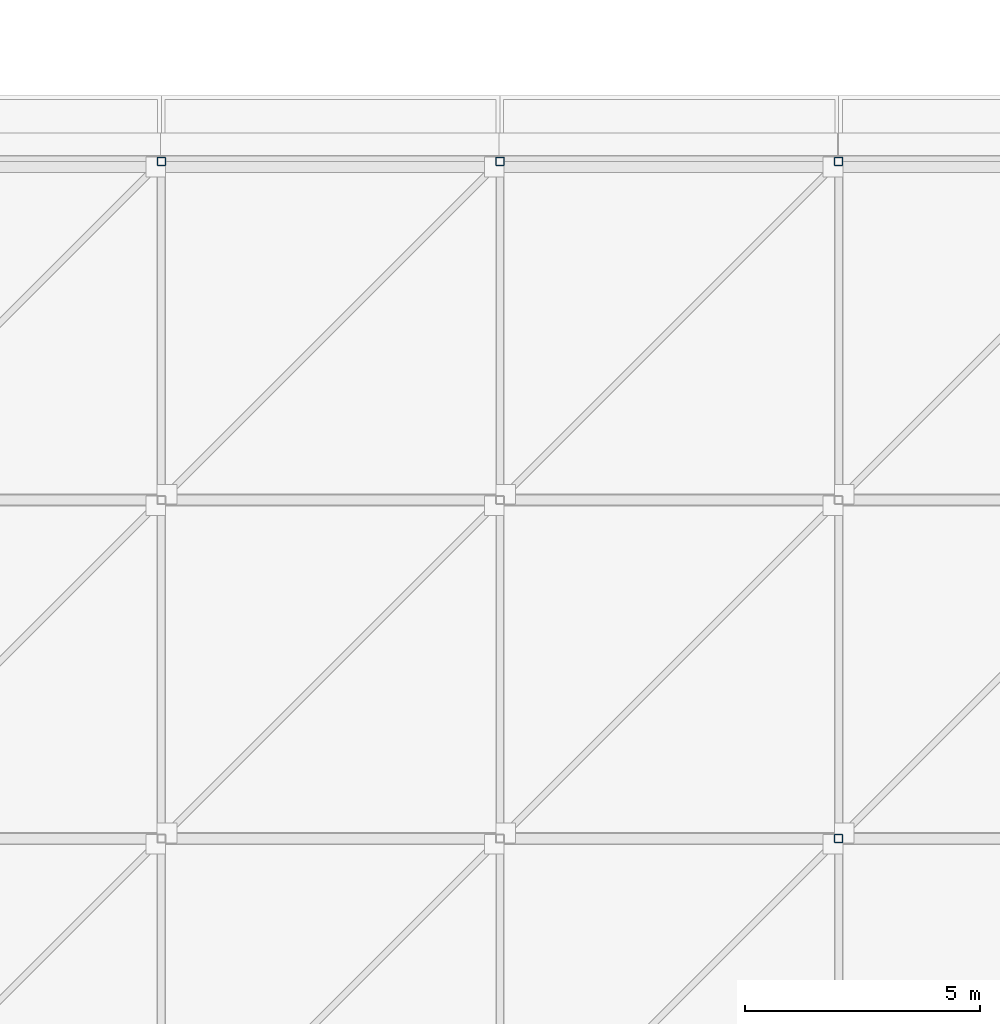
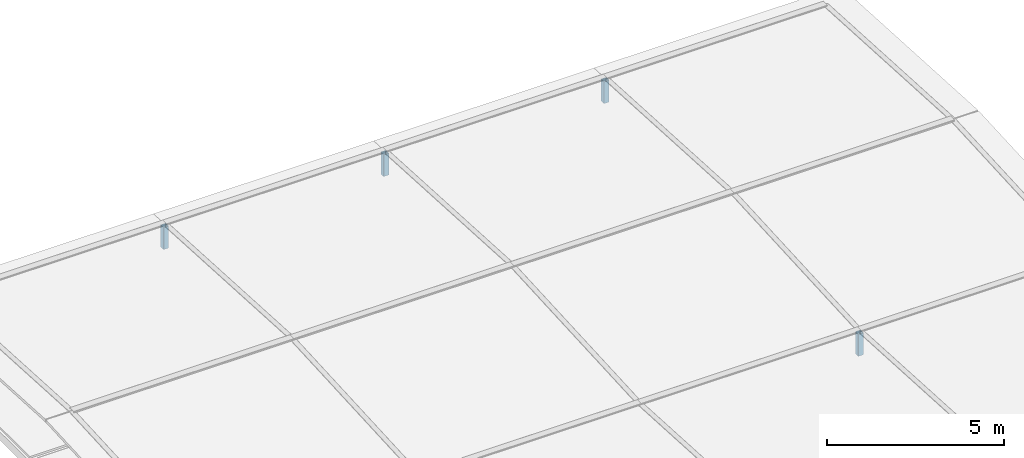
# One storey, part 10 of 15: 4 members.
"""IFC4 building model written with IfcOpenShell, lengths in metres."""

from ifc_helpers import new_model, si_unit, direction, frame, origin, origin_2d, place, context, subcontext, project, spatial, hollow_rectangle, extrude, material, material_profile, profile_set, type_object, element, save


model = new_model("IFC4")

# Units and contexts
model_context = context("Model", 3, precision=1e-05, world=origin(), true_north=direction((0.0, 1.0)))
body_context = subcontext(model_context, "Body", "Model", "MODEL_VIEW")
ifc_project = project(units=[si_unit("LENGTHUNIT", "METRE"), si_unit("AREAUNIT", "SQUARE_METRE"), si_unit("VOLUMEUNIT", "CUBIC_METRE"), si_unit("PLANEANGLEUNIT", "RADIAN"), si_unit("MASSUNIT", "GRAM", prefix="KILO")], contexts=[model_context])

# Site, building, storey
site_placement = place(None, origin())
site = spatial("IfcSite", under=ifc_project, at=site_placement, CompositionType="ELEMENT")
building_placement = place(site_placement, origin())
building = spatial("IfcBuilding", under=site, at=building_placement, Name="Kavelor Marine Aquarium", CompositionType="ELEMENT")
storey_placement = place(building_placement, frame((0.0, 0.0, 25.56005859375)))
storey = spatial("IfcBuildingStorey", under=building, at=storey_placement, Name="RF", CompositionType="ELEMENT", Elevation=25.56005859375)

# Members
ifc_material = material(Name="Steel S355", Category="steel")
ifc_material_profile = material_profile(ifc_material, hollow_rectangle(XDim=0.179931640625, YDim=0.179931640625, WallThickness=0.008056640625, InnerFilletRadius=0.011962890625, OuterFilletRadius=0.02001953125, at=origin_2d()), Name="SHS 180x180x8.0")
ifc_profile_set = profile_set([ifc_material_profile], Name="Steel S355")
member_type = type_object("IfcMemberType", Name="ST-PV2", PredefinedType="CHORD", material=ifc_profile_set)
for number, where, z_axis, x_axis, name in (
    (1, (125.60009765625, 103.60009765625, 0.0), (0.0, 0.0, 1.0), (1.0, 0.0, 0.0), "pv:p:17_14"),
    (2, (132.800048828125, 103.60009765625, 0.0), (0.0, 0.0, 1.0), (1.0, 0.0, 0.0), "pv:p:18_14"),
    (3, (140.0, 89.199951171875, 0.0), (0.0, 0.0, 1.0), (1.0, 0.0, 0.0), "pv:p:19_12"),
    (4, (140.0, 103.60009765625, 0.0), (0.0, 0.0, 1.0), (1.0, 0.0, 0.0), "pv:p:19_14"),
):
    element("IfcMember", number, at=place(storey_placement, frame(where, z_axis=z_axis, x_axis=x_axis)), inside=storey, type_object=member_type, Name=name, PredefinedType="CHORD", context=body_context, shape_type="SweptSolid", body=[
        extrude(hollow_rectangle(XDim=0.179931640625, YDim=0.179931640625, WallThickness=0.008056640625, InnerFilletRadius=0.011962890625, OuterFilletRadius=0.02001953125, at=origin_2d()), origin(), (0.0, 0.0, 1.0), 0.75),
    ])

save(model, "model.ifc")
